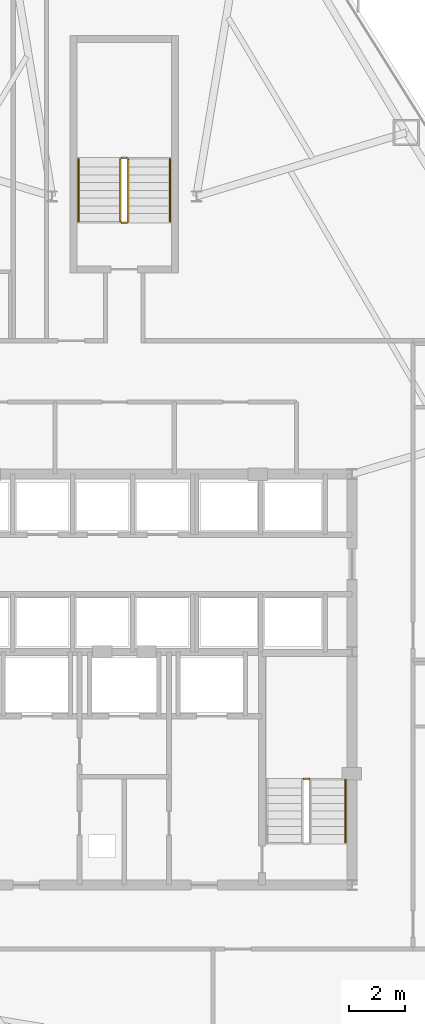
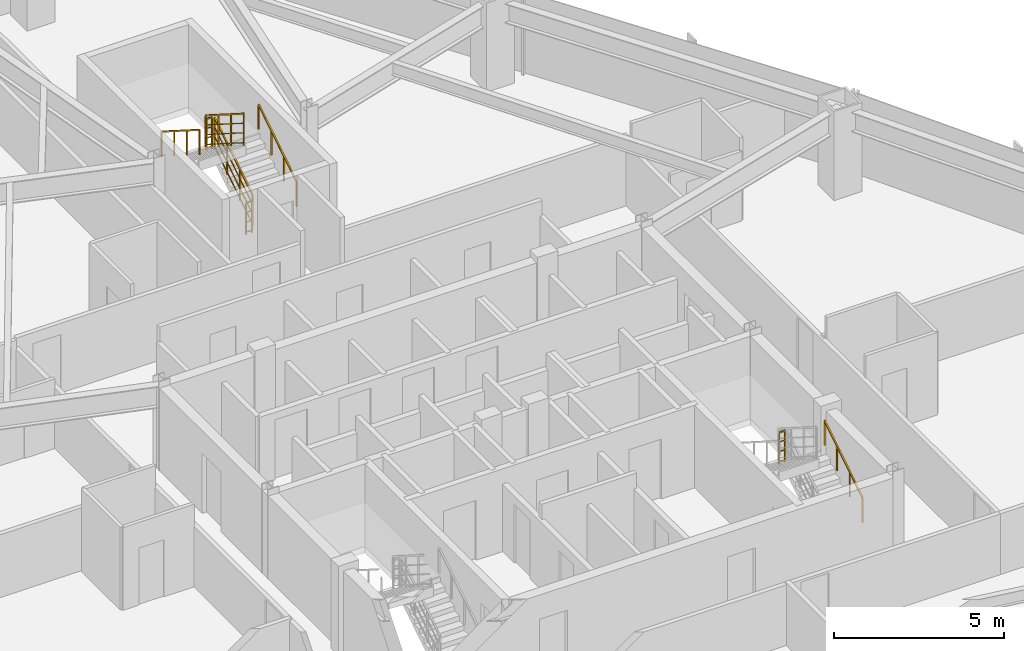
# One storey, part 13 of 13: 8 railings.
"""IFC4 building model written with IfcOpenShell, lengths in metres."""

import ifcopenshell
import ifcopenshell.guid

model = None  # the IFC model being written
_history = None  # IfcOwnerHistory: only IFC2X3 demands one
_inside = {}  # id of a spatial element -> (the spatial element, [elements in it])
_under = {}  # id of a project, library or spatial element -> (it, [spatial elements below it])
_declared = {}  # id of a project -> (the project, [libraries it declares])
_typed = {}  # id of a type object -> (the type object, [elements of that type])
_made_of = {}  # id of a material, layer set ... -> (it, [elements and type objects made of it])


def new_model(schema):
    """Start an empty IFC model of exactly this schema.

    Asked for "IFC4X3", IfcOpenShell would pick the latest addendum, in which some entities
    have other attributes; the version numbers below select the first issue.
    IFC2X3 requires an IfcOwnerHistory on every rooted entity: one is made here for all.
    """
    global model, _history
    if schema == "IFC4X3":
        model = ifcopenshell.file(schema_version=(4, 3, 0, 0))
    else:
        model = ifcopenshell.file(schema=schema)
    _inside.clear()
    _under.clear()
    _declared.clear()
    _typed.clear()
    _made_of.clear()
    _history = None
    if model.schema == "IFC2X3":
        org = make("IfcOrganization", Name="unknown")
        user = make(
            "IfcPersonAndOrganization",
            ThePerson=make("IfcPerson", FamilyName="unknown"),
            TheOrganization=org,
        )
        app = make(
            "IfcApplication",
            ApplicationDeveloper=org,
            Version="unknown",
            ApplicationFullName="unknown",
            ApplicationIdentifier="unknown",
        )
        _history = make(
            "IfcOwnerHistory",
            OwningUser=user,
            OwningApplication=app,
            ChangeAction="ADDED",
            CreationDate=0,
        )
    return model


def make(cls, **values):
    """One entity of the class cls with the attributes given. An attribute that is None is left unset."""
    return model.create_entity(
        cls, **{name: value for name, value in values.items() if value is not None}
    )


def rooted(cls, **values):
    """An entity with a GlobalId (a new one), such as an element, a storey or a relation."""
    return make(cls, GlobalId=ifcopenshell.guid.new(), OwnerHistory=_history, **values)


def si_unit(unit_type, name, prefix=None):
    """IfcSIUnit, for example si_unit("LENGTHUNIT", "METRE", prefix="MILLI")."""
    return make("IfcSIUnit", UnitType=unit_type, Prefix=prefix, Name=name)


def assignment(units):
    """IfcUnitAssignment: the units of a project."""
    return None if units is None else make("IfcUnitAssignment", Units=units)


def point(xyz):
    """IfcCartesianPoint."""
    return None if xyz is None else make("IfcCartesianPoint", Coordinates=xyz)


def direction(xyz):
    """IfcDirection."""
    return None if xyz is None else make("IfcDirection", DirectionRatios=xyz)


def frame(location, z_axis=None, x_axis=None):
    """IfcAxis2Placement3D, a coordinate frame: its origin and axes. An axis left out is left unset."""
    return make(
        "IfcAxis2Placement3D",
        Location=point(location),
        Axis=direction(z_axis),
        RefDirection=direction(x_axis),
    )


def frame_2d(location, x_axis=None):
    """IfcAxis2Placement2D, a coordinate frame in the plane: its origin and x axis."""
    return make(
        "IfcAxis2Placement2D", Location=point(location), RefDirection=direction(x_axis)
    )


def origin():
    """The frame at (0, 0, 0) with its axes left unset."""
    return frame((0.0, 0.0, 0.0))


def origin_2d():
    """The frame at (0, 0) in the plane with its x axis left unset."""
    return frame_2d((0.0, 0.0))


def place(relative_to, where):
    """IfcLocalPlacement: puts the frame where relative to a parent placement (None: the world)."""
    return make(
        "IfcLocalPlacement", PlacementRelTo=relative_to, RelativePlacement=where
    )


def context(
    kind, dimensions, precision=None, world=None, true_north=None, identifier=None
):
    """IfcGeometricRepresentationContext, for example the 3D "Model" context."""
    return make(
        "IfcGeometricRepresentationContext",
        ContextIdentifier=identifier,
        ContextType=kind,
        CoordinateSpaceDimension=dimensions,
        Precision=precision,
        WorldCoordinateSystem=world,
        TrueNorth=true_north,
    )


def subcontext(parent, identifier, kind, view, scale=None):
    """IfcGeometricRepresentationSubContext, for example "Body" below "Model"."""
    return make(
        "IfcGeometricRepresentationSubContext",
        ContextIdentifier=identifier,
        ContextType=kind,
        ParentContext=parent,
        TargetScale=scale,
        TargetView=view,
    )


def project(units=None, contexts=None):
    """IfcProject with its units and contexts."""
    return rooted(
        "IfcProject",
        Name="project",
        RepresentationContexts=contexts,
        UnitsInContext=assignment(units),
    )


def spatial(cls, under=None, at=None, **own):
    """A site, building, storey or space (cls), placed at a placement, below another one or the project."""
    s = rooted(cls, ObjectPlacement=at, **own)
    if under is not None:
        _under.setdefault(under.id(), (under, []))[1].append(s)
    return s


def profile(cls, at=None, kind="AREA", **sizes):
    """A parametric profile (cls). Its sizes go by their IFC names, for example OverallWidth=200.0."""
    return make(cls, ProfileType=kind, Position=at, **sizes)


def rectangle(**sizes):
    """IfcRectangleProfileDef."""
    return profile("IfcRectangleProfileDef", **sizes)


def extrude(swept, where, along, depth):
    """IfcExtrudedAreaSolid: the profile swept, set in the frame where, extruded along a direction by depth."""
    return make(
        "IfcExtrudedAreaSolid",
        SweptArea=swept,
        Position=where,
        ExtrudedDirection=direction(along),
        Depth=depth,
    )


def shape(context_of_items, identifier, shape_type, items):
    """IfcShapeRepresentation: the items that make up one representation, for example the "Body"."""
    return make(
        "IfcShapeRepresentation",
        ContextOfItems=context_of_items,
        RepresentationIdentifier=identifier,
        RepresentationType=shape_type,
        Items=items,
    )


def material(Name=None, Category=None):
    """IfcMaterial."""
    return make("IfcMaterial", Name=Name, Category=Category)


def made_of(thing, what):
    """Note that an element or type object is made of a material, layer set ...; save() writes the relation."""
    if what is not None:
        _made_of.setdefault(what.id(), (what, []))[1].append(thing)
    return thing


def type_object(cls, material=None, **own):
    """A type object (cls), such as IfcWallType, which elements share."""
    return made_of(rooted(cls, **own), material)


def element(
    cls,
    number,
    at=None,
    inside=None,
    cuts=None,
    type_object=None,
    material=None,
    context=None,
    identifier="Body",
    shape_type=None,
    held_by="IfcProductDefinitionShape",
    body=None,
    shapes=None,
    **own,
):
    """One element of the class cls, such as IfcWall. Its Tag is "e" and its number.

    at: its placement. inside: the storey or other place that contains it. cuts: it is an
    opening in that element (IfcRelVoidsElement). A single representation is given by context,
    identifier, shape_type and body (its items); several are given by shapes. held_by: the class
    of the entity that holds the representations. save() writes the other relations.
    """
    e = rooted(cls, Tag="e%d" % number, ObjectPlacement=at, **own)
    if body is not None:
        shapes = [shape(context, identifier, shape_type, body)]
    if shapes is not None:
        e.Representation = make(held_by, Representations=shapes)
    if inside is not None:
        _inside.setdefault(inside.id(), (inside, []))[1].append(e)
    if cuts is not None:
        rooted(
            "IfcRelVoidsElement", RelatingBuildingElement=cuts, RelatedOpeningElement=e
        )
    if type_object is not None:
        _typed.setdefault(type_object.id(), (type_object, []))[1].append(e)
    return made_of(e, material)


def aggregate(whole, parts):
    """IfcRelAggregates: a whole, such as a stair, and the parts it consists of."""
    return rooted("IfcRelAggregates", RelatingObject=whole, RelatedObjects=parts)


def save(model, path):
    """Write the relations noted so far, then the file.

    IfcRelAggregates (storeys below a building ...), IfcRelContainedInSpatialStructure (elements
    in a storey), IfcRelDefinesByType, IfcRelAssociatesMaterial and IfcRelDeclares: one each for
    every whole, place, type object, material and project.
    """
    for whole, parts in _under.values():
        aggregate(whole, parts)
    for where, things in _inside.values():
        rooted(
            "IfcRelContainedInSpatialStructure",
            RelatedElements=things,
            RelatingStructure=where,
        )
    for kind, things in _typed.values():
        rooted("IfcRelDefinesByType", RelatedObjects=things, RelatingType=kind)
    for what, things in _made_of.values():
        rooted("IfcRelAssociatesMaterial", RelatedObjects=things, RelatingMaterial=what)
    for by, libraries in _declared.values():
        rooted("IfcRelDeclares", RelatingContext=by, RelatedDefinitions=libraries)
    model.write(path)


model = new_model("IFC4")

# Units and contexts
model_context = context("Model", 3, precision=1e-05, world=origin(), true_north=direction((0.0, 1.0)))
body_context = subcontext(model_context, "Body", "Model", "MODEL_VIEW")
ifc_project = project(units=[si_unit("LENGTHUNIT", "METRE"), si_unit("AREAUNIT", "SQUARE_METRE"), si_unit("VOLUMEUNIT", "CUBIC_METRE"), si_unit("PLANEANGLEUNIT", "RADIAN"), si_unit("MASSUNIT", "GRAM", prefix="KILO")], contexts=[model_context])

# Site, building, storey
site_placement = place(None, origin())
site = spatial("IfcSite", under=ifc_project, at=site_placement, CompositionType="ELEMENT")
building_placement = place(site_placement, origin())
building = spatial("IfcBuilding", under=site, at=building_placement, Name="Varakhsha Concourse Tower", CompositionType="ELEMENT")
storey_placement = place(building_placement, frame((0.0, 0.0, 99.0)))
storey = spatial("IfcBuildingStorey", under=building, at=storey_placement, Name="L28", CompositionType="ELEMENT", Elevation=99.0)

# Railings
ifc_material = material(Name="Brushed Austenitic Stainless Steel AISI 316", Category="steel")
railing_type_1 = type_object("IfcRailingType", Name="RL-STAIR-GUARD-1100", PredefinedType="GUARDRAIL", material=ifc_material)
railing_1_placement = place(storey_placement, frame((46.659912109375, 20.22998046875, 1.60009765625)))
element("IfcRailing", 1, at=railing_1_placement, inside=storey, type_object=railing_type_1, Name="L28 ST2 stair guard 2", PredefinedType="GUARDRAIL", context=body_context, shape_type="SweptSolid", body=[
    extrude(rectangle(XDim=0.048095703125, YDim=0.048095703125, at=origin_2d()), frame((0.0, 0.0, 1.1259765625), z_axis=(-1.0, 0.0, 0.0), x_axis=(0.0, -1.0, 0.0)), (0.0, 0.0, 1.0), 0.199951171875),
    extrude(rectangle(XDim=0.028076171875, YDim=0.028076171875, at=origin_2d()), frame((0.0, 0.0, 0.080078125), z_axis=(-1.0, 0.0, 0.0), x_axis=(0.0, -1.0, 0.0)), (0.0, 0.0, 1.0), 0.199951171875),
    extrude(rectangle(XDim=0.028076171875, YDim=0.028076171875, at=origin_2d()), frame((0.0, 0.0, 0.43701171875), z_axis=(-1.0, 0.0, 0.0), x_axis=(0.0, -1.0, 0.0)), (0.0, 0.0, 1.0), 0.199951171875),
    extrude(rectangle(XDim=0.028076171875, YDim=0.028076171875, at=origin_2d()), frame((0.0, 0.0, 0.781982421875), z_axis=(-1.0, 0.0, 0.0), x_axis=(0.0, -1.0, 0.0)), (0.0, 0.0, 1.0), 0.199951171875),
    extrude(rectangle(XDim=0.0419921875, YDim=0.0419921875, at=origin_2d()), origin(), (0.0, 0.0, 1.0), 1.101806640625),
    extrude(rectangle(XDim=0.0419921875, YDim=0.0419921875, at=origin_2d()), frame((-0.199951171875, 0.0, 0.0)), (0.0, 0.0, 1.0), 1.101806640625),
])
railing_2_placement = place(storey_placement, frame((40.14990234375, 40.300048828125, 0.177734375)))
element("IfcRailing", 2, at=railing_2_placement, inside=storey, type_object=railing_type_1, Name="L28 ST5 stair guard 1", PredefinedType="GUARDRAIL", context=body_context, shape_type="SweptSolid", body=[
    extrude(rectangle(XDim=0.048095703125, YDim=0.048095703125, at=origin_2d()), frame((0.0, 0.0, 1.1259765625), z_axis=(0.0, 0.84418770128, 0.536047689118), x_axis=(-1.0, 0.0, 0.0)), (0.0, 0.0, 1.0), 2.6533203125),
    extrude(rectangle(XDim=0.028076171875, YDim=0.028076171875, at=origin_2d()), frame((0.0, 0.0, 0.080078125), z_axis=(0.0, 0.84418770128, 0.536047689118), x_axis=(-1.0, 0.0, 0.0)), (0.0, 0.0, 1.0), 2.6533203125),
    extrude(rectangle(XDim=0.028076171875, YDim=0.028076171875, at=origin_2d()), frame((0.0, 0.0, 0.43701171875), z_axis=(0.0, 0.84418770128, 0.536047689118), x_axis=(-1.0, 0.0, 0.0)), (0.0, 0.0, 1.0), 2.6533203125),
    extrude(rectangle(XDim=0.028076171875, YDim=0.028076171875, at=origin_2d()), frame((0.0, 0.0, 0.781982421875), z_axis=(0.0, 0.84418770128, 0.536047689118), x_axis=(-1.0, 0.0, 0.0)), (0.0, 0.0, 1.0), 2.6533203125),
    extrude(rectangle(XDim=0.0419921875, YDim=0.0419921875, at=origin_2d()), origin(), (0.0, 0.0, 1.0), 1.101806640625),
    extrude(rectangle(XDim=0.0419921875, YDim=0.0419921875, at=origin_2d()), frame((0.0, 0.74658203125, 0.47412109375)), (0.0, 0.0, 1.0), 1.101806640625),
    extrude(rectangle(XDim=0.0419921875, YDim=0.0419921875, at=origin_2d()), frame((0.0, 1.493408203125, 0.9482421875)), (0.0, 0.0, 1.0), 1.101806640625),
    extrude(rectangle(XDim=0.0419921875, YDim=0.0419921875, at=origin_2d()), frame((0.0, 2.239990234375, 1.42236328125)), (0.0, 0.0, 1.0), 1.101806640625),
])
railing_3_placement = place(storey_placement, frame((40.10009765625, 42.590087890625, 1.60009765625)))
element("IfcRailing", 3, at=railing_3_placement, inside=storey, type_object=railing_type_1, Name="L28 ST5 stair guard 2", PredefinedType="GUARDRAIL", context=body_context, shape_type="SweptSolid", body=[
    extrude(rectangle(XDim=0.048095703125, YDim=0.048095703125, at=origin_2d()), frame((0.0, 0.0, 1.1259765625), z_axis=(-1.0, 0.0, 0.0), x_axis=(0.0, -1.0, 0.0)), (0.0, 0.0, 1.0), 0.2001953125),
    extrude(rectangle(XDim=0.028076171875, YDim=0.028076171875, at=origin_2d()), frame((0.0, 0.0, 0.080078125), z_axis=(-1.0, 0.0, 0.0), x_axis=(0.0, -1.0, 0.0)), (0.0, 0.0, 1.0), 0.2001953125),
    extrude(rectangle(XDim=0.028076171875, YDim=0.028076171875, at=origin_2d()), frame((0.0, 0.0, 0.43701171875), z_axis=(-1.0, 0.0, 0.0), x_axis=(0.0, -1.0, 0.0)), (0.0, 0.0, 1.0), 0.2001953125),
    extrude(rectangle(XDim=0.028076171875, YDim=0.028076171875, at=origin_2d()), frame((0.0, 0.0, 0.781982421875), z_axis=(-1.0, 0.0, 0.0), x_axis=(0.0, -1.0, 0.0)), (0.0, 0.0, 1.0), 0.2001953125),
    extrude(rectangle(XDim=0.0419921875, YDim=0.0419921875, at=origin_2d()), origin(), (0.0, 0.0, 1.0), 1.101806640625),
    extrude(rectangle(XDim=0.0419921875, YDim=0.0419921875, at=origin_2d()), frame((-0.2001953125, 0.0, 0.0)), (0.0, 0.0, 1.0), 1.101806640625),
])
railing_4_placement = place(storey_placement, frame((39.85009765625, 42.5400390625, 1.77783203125)))
element("IfcRailing", 4, at=railing_4_placement, inside=storey, type_object=railing_type_1, Name="L28 ST5 stair guard 3", PredefinedType="GUARDRAIL", context=body_context, shape_type="SweptSolid", body=[
    extrude(rectangle(XDim=0.048095703125, YDim=0.048095703125, at=origin_2d()), frame((0.0, 0.0, 1.1259765625), z_axis=(0.0, -0.8442293374, 0.53598211339), x_axis=(1.0, 0.0, 0.0)), (0.0, 0.0, 1.0), 2.6533203125),
    extrude(rectangle(XDim=0.028076171875, YDim=0.028076171875, at=origin_2d()), frame((0.0, 0.0, 0.080078125), z_axis=(0.0, -0.8442293374, 0.53598211339), x_axis=(1.0, 0.0, 0.0)), (0.0, 0.0, 1.0), 2.6533203125),
    extrude(rectangle(XDim=0.028076171875, YDim=0.028076171875, at=origin_2d()), frame((0.0, 0.0, 0.43701171875), z_axis=(0.0, -0.8442293374, 0.53598211339), x_axis=(1.0, 0.0, 0.0)), (0.0, 0.0, 1.0), 2.6533203125),
    extrude(rectangle(XDim=0.028076171875, YDim=0.028076171875, at=origin_2d()), frame((0.0, 0.0, 0.781982421875), z_axis=(0.0, -0.8442293374, 0.53598211339), x_axis=(1.0, 0.0, 0.0)), (0.0, 0.0, 1.0), 2.6533203125),
    extrude(rectangle(XDim=0.0419921875, YDim=0.0419921875, at=origin_2d()), origin(), (0.0, 0.0, 1.0), 1.101806640625),
    extrude(rectangle(XDim=0.0419921875, YDim=0.0419921875, at=origin_2d()), frame((0.0, -0.74658203125, 0.47412109375)), (0.0, 0.0, 1.0), 1.101806640625),
    extrude(rectangle(XDim=0.0419921875, YDim=0.0419921875, at=origin_2d()), frame((0.0, -1.493408203125, 0.947998046875)), (0.0, 0.0, 1.0), 1.101806640625),
    extrude(rectangle(XDim=0.0419921875, YDim=0.0419921875, at=origin_2d()), frame((0.0, -2.239990234375, 1.422119140625)), (0.0, 0.0, 1.0), 1.101806640625),
])
railing_5_placement = place(storey_placement, frame((40.10009765625, 40.25, 0.0)))
element("IfcRailing", 5, at=railing_5_placement, inside=storey, type_object=railing_type_1, Name="L28 ST5 stair guard 4", PredefinedType="GUARDRAIL", context=body_context, shape_type="SweptSolid", body=[
    extrude(rectangle(XDim=0.048095703125, YDim=0.048095703125, at=origin_2d()), frame((0.0, 0.0, 1.1259765625), z_axis=(-1.0, 0.0, 0.0), x_axis=(0.0, -1.0, 0.0)), (0.0, 0.0, 1.0), 0.2001953125),
    extrude(rectangle(XDim=0.028076171875, YDim=0.028076171875, at=origin_2d()), frame((0.0, 0.0, 0.080078125), z_axis=(-1.0, 0.0, 0.0), x_axis=(0.0, -1.0, 0.0)), (0.0, 0.0, 1.0), 0.2001953125),
    extrude(rectangle(XDim=0.028076171875, YDim=0.028076171875, at=origin_2d()), frame((0.0, 0.0, 0.43701171875), z_axis=(-1.0, 0.0, 0.0), x_axis=(0.0, -1.0, 0.0)), (0.0, 0.0, 1.0), 0.2001953125),
    extrude(rectangle(XDim=0.028076171875, YDim=0.028076171875, at=origin_2d()), frame((0.0, 0.0, 0.781982421875), z_axis=(-1.0, 0.0, 0.0), x_axis=(0.0, -1.0, 0.0)), (0.0, 0.0, 1.0), 0.2001953125),
    extrude(rectangle(XDim=0.0419921875, YDim=0.0419921875, at=origin_2d()), origin(), (0.0, 0.0, 1.0), 1.101806640625),
    extrude(rectangle(XDim=0.0419921875, YDim=0.0419921875, at=origin_2d()), frame((-0.2001953125, 0.0, 0.0)), (0.0, 0.0, 1.0), 1.101806640625),
])
railing_type_2 = type_object("IfcRailingType", Name="RL-STAIR-RAIL-915", PredefinedType="HANDRAIL", material=ifc_material)
for number, where, name in (
    (6, (47.969970703125, 17.93994140625, 0.35546875), "L28 ST2 stair handrail 1"),
    (7, (41.64990234375, 40.300048828125, 0.35546875), "L28 ST5 stair handrail 1"),
):
    element("IfcRailing", number, at=place(storey_placement, frame(where)), inside=storey, type_object=railing_type_2, Name=name, PredefinedType="HANDRAIL", context=body_context, shape_type="SweptSolid", body=[
        extrude(rectangle(XDim=0.048095703125, YDim=0.048095703125, at=origin_2d()), frame((0.0, 0.0, 0.89111328125), z_axis=(0.0, 0.84418770128, 0.536047689118), x_axis=(-1.0, 0.0, 0.0)), (0.0, 0.0, 1.0), 2.6533203125),
        extrude(rectangle(XDim=0.0419921875, YDim=0.0419921875, at=origin_2d()), origin(), (0.0, 0.0, 1.0), 0.866943359375),
        extrude(rectangle(XDim=0.0419921875, YDim=0.0419921875, at=origin_2d()), frame((0.0, 0.74658203125, 0.47412109375)), (0.0, 0.0, 1.0), 0.866943359375),
        extrude(rectangle(XDim=0.0419921875, YDim=0.0419921875, at=origin_2d()), frame((0.0, 1.493408203125, 0.9482421875)), (0.0, 0.0, 1.0), 0.866943359375),
        extrude(rectangle(XDim=0.0419921875, YDim=0.0419921875, at=origin_2d()), frame((0.0, 2.239990234375, 1.42236328125)), (0.0, 0.0, 1.0), 0.866943359375),
    ])
railing_6_placement = place(storey_placement, frame((38.35009765625, 42.5400390625, 1.95556640625)))
element("IfcRailing", 8, at=railing_6_placement, inside=storey, type_object=railing_type_2, Name="L28 ST5 stair handrail 2", PredefinedType="HANDRAIL", context=body_context, shape_type="SweptSolid", body=[
    extrude(rectangle(XDim=0.048095703125, YDim=0.048095703125, at=origin_2d()), frame((0.0, 0.0, 0.89111328125), z_axis=(0.0, -0.8442293374, 0.53598211339), x_axis=(1.0, 0.0, 0.0)), (0.0, 0.0, 1.0), 2.6533203125),
    extrude(rectangle(XDim=0.0419921875, YDim=0.0419921875, at=origin_2d()), origin(), (0.0, 0.0, 1.0), 0.866943359375),
    extrude(rectangle(XDim=0.0419921875, YDim=0.0419921875, at=origin_2d()), frame((0.0, -0.74658203125, 0.47412109375)), (0.0, 0.0, 1.0), 0.866943359375),
    extrude(rectangle(XDim=0.0419921875, YDim=0.0419921875, at=origin_2d()), frame((0.0, -1.493408203125, 0.947998046875)), (0.0, 0.0, 1.0), 0.866943359375),
    extrude(rectangle(XDim=0.0419921875, YDim=0.0419921875, at=origin_2d()), frame((0.0, -2.239990234375, 1.422119140625)), (0.0, 0.0, 1.0), 0.866943359375),
])

save(model, "model.ifc")
